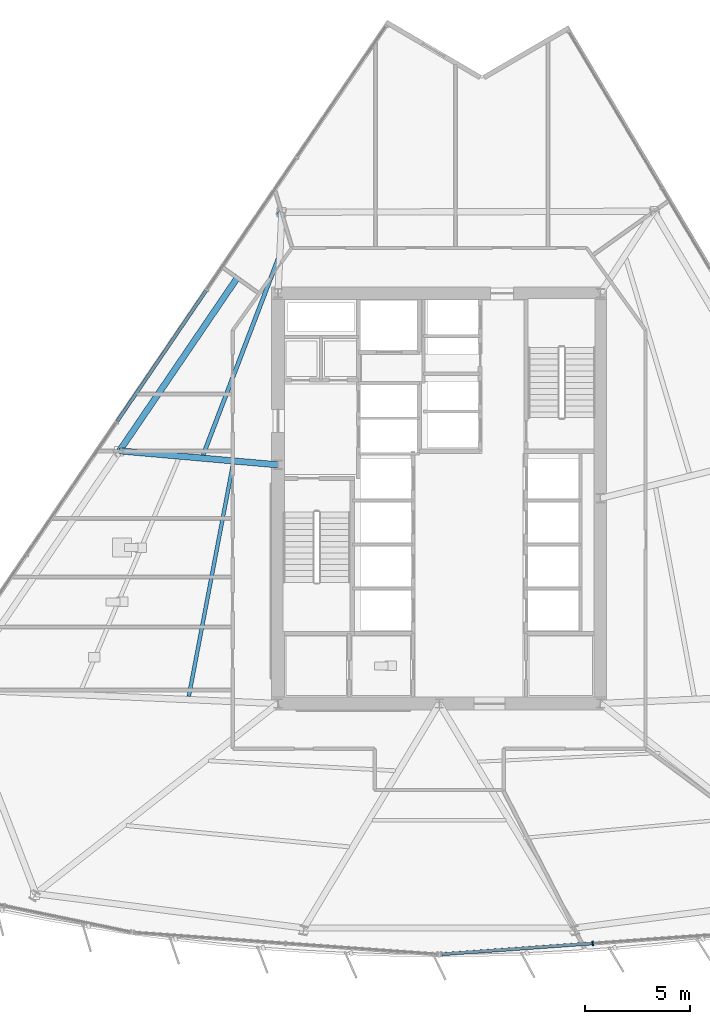
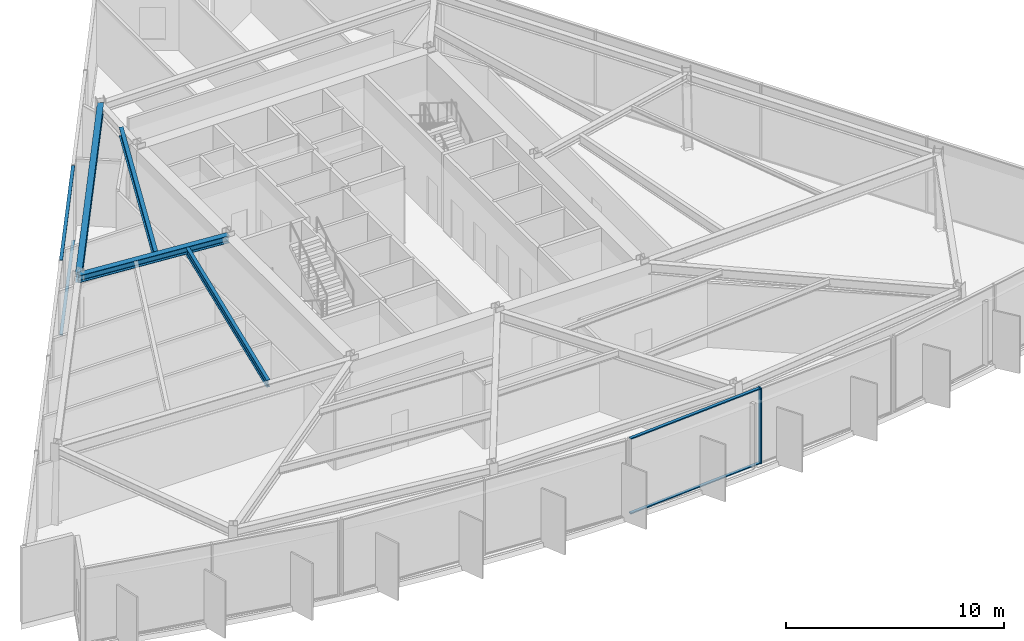
# One storey, part 3 of 14: 5 members, 4 beams, 2 elements without a shape of their own.
"""IFC4 building model written with IfcOpenShell, lengths in metres."""

import ifcopenshell
import ifcopenshell.guid

model = None  # the IFC model being written
_history = None  # IfcOwnerHistory: only IFC2X3 demands one
_inside = {}  # id of a spatial element -> (the spatial element, [elements in it])
_under = {}  # id of a project, library or spatial element -> (it, [spatial elements below it])
_declared = {}  # id of a project -> (the project, [libraries it declares])
_typed = {}  # id of a type object -> (the type object, [elements of that type])
_made_of = {}  # id of a material, layer set ... -> (it, [elements and type objects made of it])


def new_model(schema):
    """Start an empty IFC model of exactly this schema.

    Asked for "IFC4X3", IfcOpenShell would pick the latest addendum, in which some entities
    have other attributes; the version numbers below select the first issue.
    IFC2X3 requires an IfcOwnerHistory on every rooted entity: one is made here for all.
    """
    global model, _history
    if schema == "IFC4X3":
        model = ifcopenshell.file(schema_version=(4, 3, 0, 0))
    else:
        model = ifcopenshell.file(schema=schema)
    _inside.clear()
    _under.clear()
    _declared.clear()
    _typed.clear()
    _made_of.clear()
    _history = None
    if model.schema == "IFC2X3":
        org = make("IfcOrganization", Name="unknown")
        user = make(
            "IfcPersonAndOrganization",
            ThePerson=make("IfcPerson", FamilyName="unknown"),
            TheOrganization=org,
        )
        app = make(
            "IfcApplication",
            ApplicationDeveloper=org,
            Version="unknown",
            ApplicationFullName="unknown",
            ApplicationIdentifier="unknown",
        )
        _history = make(
            "IfcOwnerHistory",
            OwningUser=user,
            OwningApplication=app,
            ChangeAction="ADDED",
            CreationDate=0,
        )
    return model


def make(cls, **values):
    """One entity of the class cls with the attributes given. An attribute that is None is left unset."""
    return model.create_entity(
        cls, **{name: value for name, value in values.items() if value is not None}
    )


def rooted(cls, **values):
    """An entity with a GlobalId (a new one), such as an element, a storey or a relation."""
    return make(cls, GlobalId=ifcopenshell.guid.new(), OwnerHistory=_history, **values)


def si_unit(unit_type, name, prefix=None):
    """IfcSIUnit, for example si_unit("LENGTHUNIT", "METRE", prefix="MILLI")."""
    return make("IfcSIUnit", UnitType=unit_type, Prefix=prefix, Name=name)


def assignment(units):
    """IfcUnitAssignment: the units of a project."""
    return None if units is None else make("IfcUnitAssignment", Units=units)


def point(xyz):
    """IfcCartesianPoint."""
    return None if xyz is None else make("IfcCartesianPoint", Coordinates=xyz)


def direction(xyz):
    """IfcDirection."""
    return None if xyz is None else make("IfcDirection", DirectionRatios=xyz)


def frame(location, z_axis=None, x_axis=None):
    """IfcAxis2Placement3D, a coordinate frame: its origin and axes. An axis left out is left unset."""
    return make(
        "IfcAxis2Placement3D",
        Location=point(location),
        Axis=direction(z_axis),
        RefDirection=direction(x_axis),
    )


def frame_2d(location, x_axis=None):
    """IfcAxis2Placement2D, a coordinate frame in the plane: its origin and x axis."""
    return make(
        "IfcAxis2Placement2D", Location=point(location), RefDirection=direction(x_axis)
    )


def origin():
    """The frame at (0, 0, 0) with its axes left unset."""
    return frame((0.0, 0.0, 0.0))


def origin_2d():
    """The frame at (0, 0) in the plane with its x axis left unset."""
    return frame_2d((0.0, 0.0))


def place(relative_to, where):
    """IfcLocalPlacement: puts the frame where relative to a parent placement (None: the world)."""
    return make(
        "IfcLocalPlacement", PlacementRelTo=relative_to, RelativePlacement=where
    )


def context(
    kind, dimensions, precision=None, world=None, true_north=None, identifier=None
):
    """IfcGeometricRepresentationContext, for example the 3D "Model" context."""
    return make(
        "IfcGeometricRepresentationContext",
        ContextIdentifier=identifier,
        ContextType=kind,
        CoordinateSpaceDimension=dimensions,
        Precision=precision,
        WorldCoordinateSystem=world,
        TrueNorth=true_north,
    )


def subcontext(parent, identifier, kind, view, scale=None):
    """IfcGeometricRepresentationSubContext, for example "Body" below "Model"."""
    return make(
        "IfcGeometricRepresentationSubContext",
        ContextIdentifier=identifier,
        ContextType=kind,
        ParentContext=parent,
        TargetScale=scale,
        TargetView=view,
    )


def project(units=None, contexts=None):
    """IfcProject with its units and contexts."""
    return rooted(
        "IfcProject",
        Name="project",
        RepresentationContexts=contexts,
        UnitsInContext=assignment(units),
    )


def spatial(cls, under=None, at=None, **own):
    """A site, building, storey or space (cls), placed at a placement, below another one or the project."""
    s = rooted(cls, ObjectPlacement=at, **own)
    if under is not None:
        _under.setdefault(under.id(), (under, []))[1].append(s)
    return s


def profile(cls, at=None, kind="AREA", **sizes):
    """A parametric profile (cls). Its sizes go by their IFC names, for example OverallWidth=200.0."""
    return make(cls, ProfileType=kind, Position=at, **sizes)


def rectangle(**sizes):
    """IfcRectangleProfileDef."""
    return profile("IfcRectangleProfileDef", **sizes)


def i_section(**sizes):
    """IfcIShapeProfileDef."""
    return profile("IfcIShapeProfileDef", **sizes)


def extrude(swept, where, along, depth):
    """IfcExtrudedAreaSolid: the profile swept, set in the frame where, extruded along a direction by depth."""
    return make(
        "IfcExtrudedAreaSolid",
        SweptArea=swept,
        Position=where,
        ExtrudedDirection=direction(along),
        Depth=depth,
    )


def shape(context_of_items, identifier, shape_type, items):
    """IfcShapeRepresentation: the items that make up one representation, for example the "Body"."""
    return make(
        "IfcShapeRepresentation",
        ContextOfItems=context_of_items,
        RepresentationIdentifier=identifier,
        RepresentationType=shape_type,
        Items=items,
    )


def material(Name=None, Category=None):
    """IfcMaterial."""
    return make("IfcMaterial", Name=Name, Category=Category)


def material_profile(
    of_material, cross_section, Name=None, Category=None, Priority=None
):
    """IfcMaterialProfile: a cross section and its material."""
    return make(
        "IfcMaterialProfile",
        Name=Name,
        Material=of_material,
        Profile=cross_section,
        Priority=Priority,
        Category=Category,
    )


def profile_set(profiles, Name=None, composite=None):
    """IfcMaterialProfileSet."""
    return make(
        "IfcMaterialProfileSet",
        Name=Name,
        MaterialProfiles=profiles,
        CompositeProfile=composite,
    )


def made_of(thing, what):
    """Note that an element or type object is made of a material, layer set ...; save() writes the relation."""
    if what is not None:
        _made_of.setdefault(what.id(), (what, []))[1].append(thing)
    return thing


def type_object(cls, material=None, **own):
    """A type object (cls), such as IfcWallType, which elements share."""
    return made_of(rooted(cls, **own), material)


def element(
    cls,
    number,
    at=None,
    inside=None,
    cuts=None,
    type_object=None,
    material=None,
    context=None,
    identifier="Body",
    shape_type=None,
    held_by="IfcProductDefinitionShape",
    body=None,
    shapes=None,
    **own,
):
    """One element of the class cls, such as IfcWall. Its Tag is "e" and its number.

    at: its placement. inside: the storey or other place that contains it. cuts: it is an
    opening in that element (IfcRelVoidsElement). A single representation is given by context,
    identifier, shape_type and body (its items); several are given by shapes. held_by: the class
    of the entity that holds the representations. save() writes the other relations.
    """
    e = rooted(cls, Tag="e%d" % number, ObjectPlacement=at, **own)
    if body is not None:
        shapes = [shape(context, identifier, shape_type, body)]
    if shapes is not None:
        e.Representation = make(held_by, Representations=shapes)
    if inside is not None:
        _inside.setdefault(inside.id(), (inside, []))[1].append(e)
    if cuts is not None:
        rooted(
            "IfcRelVoidsElement", RelatingBuildingElement=cuts, RelatedOpeningElement=e
        )
    if type_object is not None:
        _typed.setdefault(type_object.id(), (type_object, []))[1].append(e)
    return made_of(e, material)


def aggregate(whole, parts):
    """IfcRelAggregates: a whole, such as a stair, and the parts it consists of."""
    return rooted("IfcRelAggregates", RelatingObject=whole, RelatedObjects=parts)


def save(model, path):
    """Write the relations noted so far, then the file.

    IfcRelAggregates (storeys below a building ...), IfcRelContainedInSpatialStructure (elements
    in a storey), IfcRelDefinesByType, IfcRelAssociatesMaterial and IfcRelDeclares: one each for
    every whole, place, type object, material and project.
    """
    for whole, parts in _under.values():
        aggregate(whole, parts)
    for where, things in _inside.values():
        rooted(
            "IfcRelContainedInSpatialStructure",
            RelatedElements=things,
            RelatingStructure=where,
        )
    for kind, things in _typed.values():
        rooted("IfcRelDefinesByType", RelatedObjects=things, RelatingType=kind)
    for what, things in _made_of.values():
        rooted("IfcRelAssociatesMaterial", RelatedObjects=things, RelatingMaterial=what)
    for by, libraries in _declared.values():
        rooted("IfcRelDeclares", RelatingContext=by, RelatedDefinitions=libraries)
    model.write(path)


model = new_model("IFC4")

# Units and contexts
model_context = context("Model", 3, precision=1e-05, world=origin(), true_north=direction((0.0, 1.0)))
body_context = subcontext(model_context, "Body", "Model", "MODEL_VIEW")
ifc_project = project(units=[si_unit("LENGTHUNIT", "METRE"), si_unit("AREAUNIT", "SQUARE_METRE"), si_unit("VOLUMEUNIT", "CUBIC_METRE"), si_unit("PLANEANGLEUNIT", "RADIAN"), si_unit("MASSUNIT", "GRAM", prefix="KILO")], contexts=[model_context])

# Site, building, storey
site_placement = place(None, origin())
site = spatial("IfcSite", under=ifc_project, at=site_placement, CompositionType="ELEMENT")
building_placement = place(site_placement, origin())
building = spatial("IfcBuilding", under=site, at=building_placement, Name="Savorim Split Tower", CompositionType="ELEMENT")
storey_placement = place(building_placement, frame((0.0, 0.0, 78.0)))
storey = spatial("IfcBuildingStorey", under=building, at=storey_placement, Name="L20", CompositionType="ELEMENT", Elevation=78.0)

# Beams
ifc_material_1 = material(Name="Steel S355", Category="steel")
ifc_material_profile_1 = material_profile(ifc_material_1, i_section(OverallWidth=0.179931640625, OverallDepth=0.39990234375, WebThickness=0.008544921875, FlangeThickness=0.013427734375, FilletRadius=0.02099609375, at=origin_2d()), Name="IPE 400")
ifc_profile_set_1 = profile_set([ifc_material_profile_1], Name="Steel S355")
beam_type_1 = type_object("IfcBeamType", Name="BM-JST-IPE400", PredefinedType="JOIST", material=ifc_profile_set_1)
beam_1_placement = place(storey_placement, frame((-9.84912109375, 2.0302734375, 4.050048828125), z_axis=(-0.187053445697, -0.982349738358, 0.0), x_axis=(0.982349738358, -0.187053445697, 0.0)))
element("IfcBeam", 1, at=beam_1_placement, inside=storey, type_object=beam_type_1, Name="L20 Secondary Floor Joist JS-11", PredefinedType="JOIST", context=body_context, shape_type="SweptSolid", body=[
    extrude(i_section(OverallWidth=0.179931640625, OverallDepth=0.39990234375, WebThickness=0.008544921875, FlangeThickness=0.013427734375, FilletRadius=0.02099609375, at=origin_2d()), origin(), (0.0, 0.0, 1.0), 11.283447265625),
])
ifc_material_profile_2 = material_profile(ifc_material_1, i_section(OverallWidth=0.199951171875, OverallDepth=0.5, WebThickness=0.01025390625, FlangeThickness=0.01611328125, FilletRadius=0.02099609375, at=origin_2d()), Name="IPE 500")
ifc_profile_set_2 = profile_set([ifc_material_profile_2], Name="Steel S355")
beam_type_2 = type_object("IfcBeamType", Name="BM-JST-IPE500", PredefinedType="JOIST", material=ifc_profile_set_2)
beam_2_placement = place(storey_placement, frame((-7.669189453125, 11.9052734375, 4.0), z_axis=(-0.357081643759, -0.934073176839, 0.0), x_axis=(0.934073176839, -0.357081643759, 0.0)))
element("IfcBeam", 2, at=beam_2_placement, inside=storey, type_object=beam_type_2, Name="L20 Secondary Floor Joist JS-09", PredefinedType="JOIST", context=body_context, shape_type="SweptSolid", body=[
    extrude(i_section(OverallWidth=0.199951171875, OverallDepth=0.5, WebThickness=0.01025390625, FlangeThickness=0.01611328125, FilletRadius=0.02099609375, at=origin_2d()), origin(), (0.0, 0.0, 1.0), 10.100341796875),
])
ifc_material_profile_3 = material_profile(ifc_material_1, i_section(OverallWidth=0.300048828125, OverallDepth=0.39990234375, WebThickness=0.013427734375, FlangeThickness=0.02392578125, FilletRadius=0.027099609375, at=origin_2d()), Name="HEB 400")
ifc_profile_set_3 = profile_set([ifc_material_profile_3], Name="Steel S355")
beam_type_3 = type_object("IfcBeamType", Name="BM-PRI-HEB400", PredefinedType="BEAM", material=ifc_profile_set_3)
beam_3_placement = place(storey_placement, frame((-15.2685546875, 2.669189453125, 4.050048828125), z_axis=(0.996114030104, -0.088072918826, 0.0), x_axis=(0.088072918826, 0.996114030104, 0.0)))
element("IfcBeam", 3, at=beam_3_placement, inside=storey, type_object=beam_type_3, Name="L20 Primary Floor Girder RG-09", PredefinedType="BEAM", context=body_context, shape_type="SweptSolid", body=[
    extrude(i_section(OverallWidth=0.300048828125, OverallDepth=0.39990234375, WebThickness=0.013427734375, FlangeThickness=0.02392578125, FilletRadius=0.027099609375, at=origin_2d()), origin(), (0.0, 0.0, 1.0), 7.59814453125),
])
ifc_material_profile_4 = material_profile(ifc_material_1, i_section(OverallWidth=0.300048828125, OverallDepth=0.489990234375, WebThickness=0.011962890625, FlangeThickness=0.02294921875, FilletRadius=0.027099609375, at=origin_2d()), Name="HEA 500")
ifc_profile_set_4 = profile_set([ifc_material_profile_4], Name="Steel S355")
beam_type_4 = type_object("IfcBeamType", Name="BM-SPN-HEA500", PredefinedType="SPANDREL", material=ifc_profile_set_4)
beam_4_placement = place(storey_placement, frame((-7.5166015625, 14.064208984375, 4.0048828125), z_axis=(-0.562475721604, -0.826813801654, 0.0), x_axis=(0.826813801654, -0.562475721604, 0.0)))
element("IfcBeam", 4, at=beam_4_placement, inside=storey, type_object=beam_type_4, Name="L20 Perimeter Spandrel Beam 8", PredefinedType="SPANDREL", context=body_context, shape_type="SweptSolid", body=[
    extrude(i_section(OverallWidth=0.300048828125, OverallDepth=0.489990234375, WebThickness=0.011962890625, FlangeThickness=0.02294921875, FilletRadius=0.027099609375, at=origin_2d()), origin(), (0.0, 0.0, 1.0), 13.78173828125),
])

# Curtain wall, members
ifc_material_2 = material(Name="Dark Ceramic-Fritted Insulated Glass", Category="glass")
curtain_wall_type = type_object("IfcCurtainWallType", Name="CW-SKY-ATRIUM", PredefinedType="NOTDEFINED", material=ifc_material_2)
curtain_wall_1_placement = place(storey_placement, origin())
curtain_wall_1 = element("IfcCurtainWall", 5, at=curtain_wall_1_placement, inside=storey, type_object=curtain_wall_type, Name="L20 Curtain Wall CW-L20-SF3", PredefinedType="NOTDEFINED")
ifc_material_3 = material(Name="Charcoal Anodised Aluminium", Category="aluminium")
ifc_material_profile_5 = material_profile(ifc_material_3, rectangle(XDim=0.219970703125, YDim=0.070068359375, at=origin_2d()), Name="ALU-M 220x70")
ifc_profile_set_5 = profile_set([ifc_material_profile_5], Name="Charcoal Anodised Aluminium")
member_type_1 = type_object("IfcMemberType", Name="CWM-220x70", PredefinedType="MULLION", material=ifc_profile_set_5)
member_1_placement = place(storey_placement, frame((7.33203125, -20.8544921875, 0.0), z_axis=(0.0, 0.0, 1.0), x_axis=(-0.071560540796, 0.997436258114, 0.0)))
member_1 = element("IfcMember", 6, at=member_1_placement, type_object=member_type_1, Name="CW-05 mullion 2", PredefinedType="MULLION", context=body_context, shape_type="SweptSolid", body=[
    extrude(rectangle(XDim=0.219970703125, YDim=0.070068359375, at=origin_2d()), origin(), (0.0, 0.0, 1.0), 4.25),
])
ifc_material_profile_6 = material_profile(ifc_material_3, rectangle(XDim=0.159912109375, YDim=0.06005859375, at=origin_2d()), Name="ALU-T 160x60")
ifc_profile_set_6 = profile_set([ifc_material_profile_6], Name="Charcoal Anodised Aluminium")
member_type_2 = type_object("IfcMemberType", Name="CWT-160x60", PredefinedType="USERDEFINED", material=ifc_profile_set_6)
member_2_placement = place(storey_placement, frame((0.12109375, -21.371826171875, 0.030029296875), z_axis=(0.997435738192, 0.071567787291, 0.0), x_axis=(-0.071567787291, 0.997435738192, 0.0)))
member_2 = element("IfcMember", 7, at=member_2_placement, type_object=member_type_2, Name="CW-05 transom 1.1", ObjectType="TRANSOM", PredefinedType="USERDEFINED", context=body_context, shape_type="SweptSolid", body=[
    extrude(rectangle(XDim=0.159912109375, YDim=0.06005859375, at=origin_2d()), origin(), (0.0, 0.0, 1.0), 7.194580078125),
])
member_3_placement = place(storey_placement, frame((0.12109375, -21.371826171875, 4.219970703125), z_axis=(0.997435738192, 0.071567787291, 0.0), x_axis=(-0.071567787291, 0.997435738192, 0.0)))
member_3 = element("IfcMember", 8, at=member_3_placement, type_object=member_type_2, Name="CW-05 transom 1.2", ObjectType="TRANSOM", PredefinedType="USERDEFINED", context=body_context, shape_type="SweptSolid", body=[
    extrude(rectangle(XDim=0.159912109375, YDim=0.06005859375, at=origin_2d()), origin(), (0.0, 0.0, 1.0), 7.194580078125),
])
aggregate(curtain_wall_1, [member_1, member_2, member_3])

curtain_wall_2_placement = place(storey_placement, origin())
curtain_wall_2 = element("IfcCurtainWall", 9, at=curtain_wall_2_placement, inside=storey, type_object=curtain_wall_type, Name="L20 Curtain Wall CW-L20-WEST", PredefinedType="NOTDEFINED")
member_4_placement = place(storey_placement, frame((-11.12939453125, 10.3251953125, 0.030029296875), z_axis=(-0.562461610594, -0.826823401101, 0.0), x_axis=(0.826823401101, -0.562461610594, 0.0)))
member_4 = element("IfcMember", 10, at=member_4_placement, type_object=member_type_2, Name="CW-05 transom 3.1", ObjectType="TRANSOM", PredefinedType="USERDEFINED", context=body_context, shape_type="SweptSolid", body=[
    extrude(rectangle(XDim=0.159912109375, YDim=0.06005859375, at=origin_2d()), origin(), (0.0, 0.0, 1.0), 7.576416015625),
])
member_5_placement = place(storey_placement, frame((-11.12939453125, 10.3251953125, 4.219970703125), z_axis=(-0.562461610594, -0.826823401101, 0.0), x_axis=(0.826823401101, -0.562461610594, 0.0)))
member_5 = element("IfcMember", 11, at=member_5_placement, type_object=member_type_2, Name="CW-05 transom 3.2", ObjectType="TRANSOM", PredefinedType="USERDEFINED", context=body_context, shape_type="SweptSolid", body=[
    extrude(rectangle(XDim=0.159912109375, YDim=0.06005859375, at=origin_2d()), origin(), (0.0, 0.0, 1.0), 7.576416015625),
])
aggregate(curtain_wall_2, [member_4, member_5])

save(model, "model.ifc")
